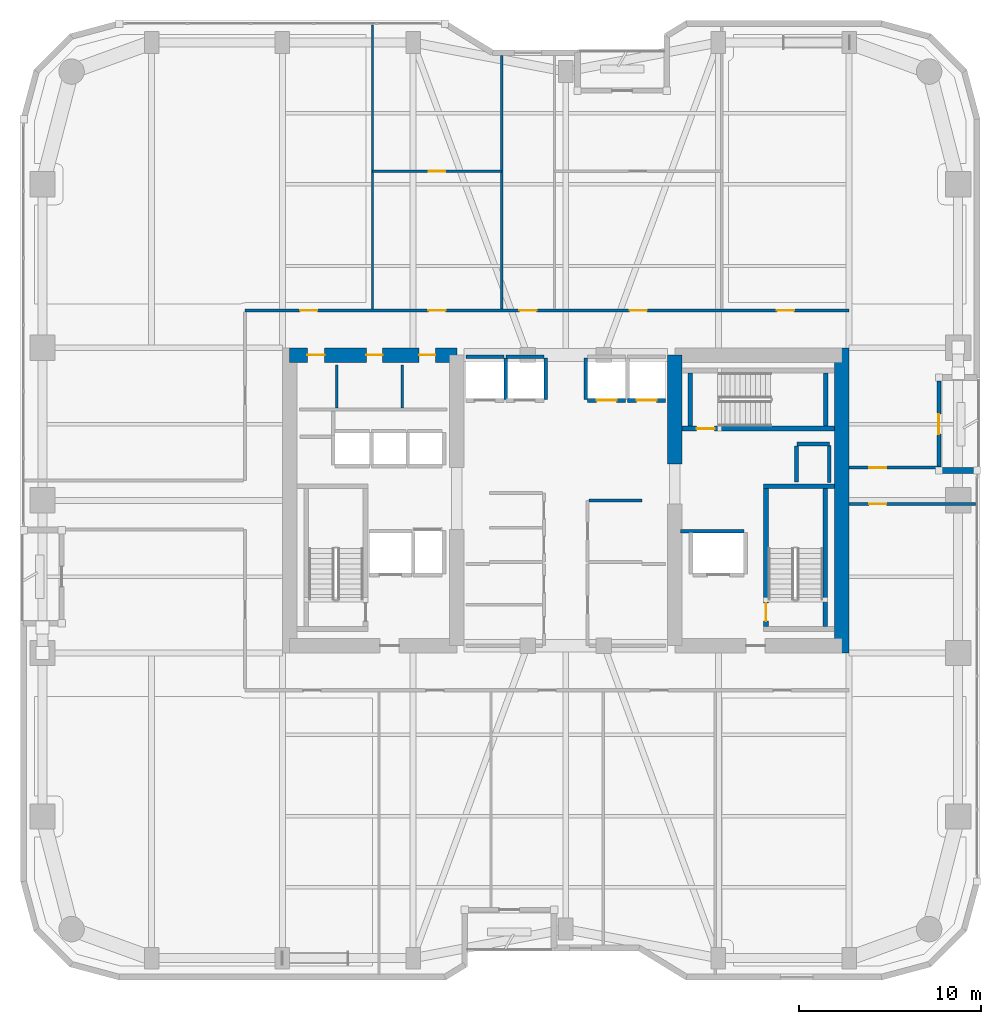
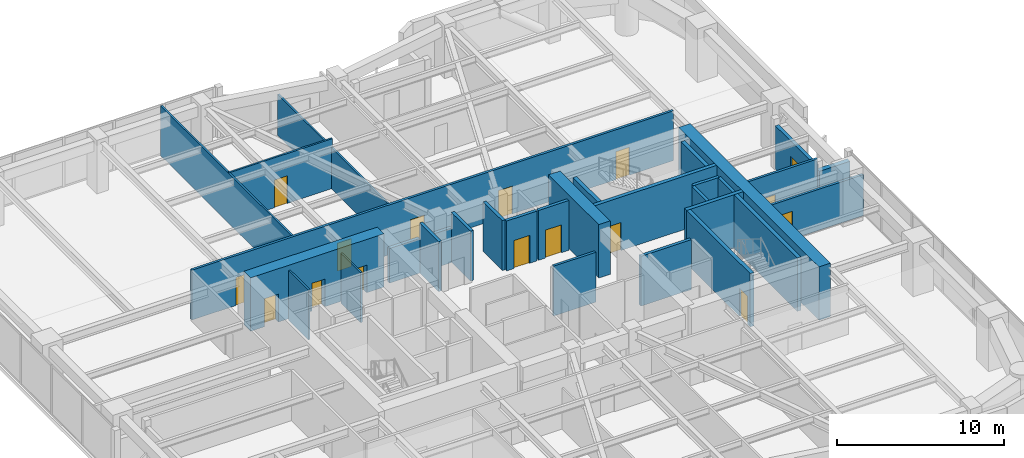
# One storey, part 20 of 24: 31 walls, 16 doors, 16 openings.
"""IFC4 building model written with IfcOpenShell, lengths in metres."""

import ifcopenshell
import ifcopenshell.guid

model = None  # the IFC model being written
_history = None  # IfcOwnerHistory: only IFC2X3 demands one
_inside = {}  # id of a spatial element -> (the spatial element, [elements in it])
_under = {}  # id of a project, library or spatial element -> (it, [spatial elements below it])
_declared = {}  # id of a project -> (the project, [libraries it declares])
_typed = {}  # id of a type object -> (the type object, [elements of that type])
_made_of = {}  # id of a material, layer set ... -> (it, [elements and type objects made of it])


def new_model(schema):
    """Start an empty IFC model of exactly this schema.

    Asked for "IFC4X3", IfcOpenShell would pick the latest addendum, in which some entities
    have other attributes; the version numbers below select the first issue.
    IFC2X3 requires an IfcOwnerHistory on every rooted entity: one is made here for all.
    """
    global model, _history
    if schema == "IFC4X3":
        model = ifcopenshell.file(schema_version=(4, 3, 0, 0))
    else:
        model = ifcopenshell.file(schema=schema)
    _inside.clear()
    _under.clear()
    _declared.clear()
    _typed.clear()
    _made_of.clear()
    _history = None
    if model.schema == "IFC2X3":
        org = make("IfcOrganization", Name="unknown")
        user = make(
            "IfcPersonAndOrganization",
            ThePerson=make("IfcPerson", FamilyName="unknown"),
            TheOrganization=org,
        )
        app = make(
            "IfcApplication",
            ApplicationDeveloper=org,
            Version="unknown",
            ApplicationFullName="unknown",
            ApplicationIdentifier="unknown",
        )
        _history = make(
            "IfcOwnerHistory",
            OwningUser=user,
            OwningApplication=app,
            ChangeAction="ADDED",
            CreationDate=0,
        )
    return model


def make(cls, **values):
    """One entity of the class cls with the attributes given. An attribute that is None is left unset."""
    return model.create_entity(
        cls, **{name: value for name, value in values.items() if value is not None}
    )


def rooted(cls, **values):
    """An entity with a GlobalId (a new one), such as an element, a storey or a relation."""
    return make(cls, GlobalId=ifcopenshell.guid.new(), OwnerHistory=_history, **values)


def si_unit(unit_type, name, prefix=None):
    """IfcSIUnit, for example si_unit("LENGTHUNIT", "METRE", prefix="MILLI")."""
    return make("IfcSIUnit", UnitType=unit_type, Prefix=prefix, Name=name)


def assignment(units):
    """IfcUnitAssignment: the units of a project."""
    return None if units is None else make("IfcUnitAssignment", Units=units)


def point(xyz):
    """IfcCartesianPoint."""
    return None if xyz is None else make("IfcCartesianPoint", Coordinates=xyz)


def direction(xyz):
    """IfcDirection."""
    return None if xyz is None else make("IfcDirection", DirectionRatios=xyz)


def frame(location, z_axis=None, x_axis=None):
    """IfcAxis2Placement3D, a coordinate frame: its origin and axes. An axis left out is left unset."""
    return make(
        "IfcAxis2Placement3D",
        Location=point(location),
        Axis=direction(z_axis),
        RefDirection=direction(x_axis),
    )


def frame_2d(location, x_axis=None):
    """IfcAxis2Placement2D, a coordinate frame in the plane: its origin and x axis."""
    return make(
        "IfcAxis2Placement2D", Location=point(location), RefDirection=direction(x_axis)
    )


def origin():
    """The frame at (0, 0, 0) with its axes left unset."""
    return frame((0.0, 0.0, 0.0))


def place(relative_to, where):
    """IfcLocalPlacement: puts the frame where relative to a parent placement (None: the world)."""
    return make(
        "IfcLocalPlacement", PlacementRelTo=relative_to, RelativePlacement=where
    )


def context(
    kind, dimensions, precision=None, world=None, true_north=None, identifier=None
):
    """IfcGeometricRepresentationContext, for example the 3D "Model" context."""
    return make(
        "IfcGeometricRepresentationContext",
        ContextIdentifier=identifier,
        ContextType=kind,
        CoordinateSpaceDimension=dimensions,
        Precision=precision,
        WorldCoordinateSystem=world,
        TrueNorth=true_north,
    )


def subcontext(parent, identifier, kind, view, scale=None):
    """IfcGeometricRepresentationSubContext, for example "Body" below "Model"."""
    return make(
        "IfcGeometricRepresentationSubContext",
        ContextIdentifier=identifier,
        ContextType=kind,
        ParentContext=parent,
        TargetScale=scale,
        TargetView=view,
    )


def project(units=None, contexts=None):
    """IfcProject with its units and contexts."""
    return rooted(
        "IfcProject",
        Name="project",
        RepresentationContexts=contexts,
        UnitsInContext=assignment(units),
    )


def spatial(cls, under=None, at=None, **own):
    """A site, building, storey or space (cls), placed at a placement, below another one or the project."""
    s = rooted(cls, ObjectPlacement=at, **own)
    if under is not None:
        _under.setdefault(under.id(), (under, []))[1].append(s)
    return s


def profile(cls, at=None, kind="AREA", **sizes):
    """A parametric profile (cls). Its sizes go by their IFC names, for example OverallWidth=200.0."""
    return make(cls, ProfileType=kind, Position=at, **sizes)


def rectangle(**sizes):
    """IfcRectangleProfileDef."""
    return profile("IfcRectangleProfileDef", **sizes)


def extrude(swept, where, along, depth):
    """IfcExtrudedAreaSolid: the profile swept, set in the frame where, extruded along a direction by depth."""
    return make(
        "IfcExtrudedAreaSolid",
        SweptArea=swept,
        Position=where,
        ExtrudedDirection=direction(along),
        Depth=depth,
    )


def shape(context_of_items, identifier, shape_type, items):
    """IfcShapeRepresentation: the items that make up one representation, for example the "Body"."""
    return make(
        "IfcShapeRepresentation",
        ContextOfItems=context_of_items,
        RepresentationIdentifier=identifier,
        RepresentationType=shape_type,
        Items=items,
    )


def material(Name=None, Category=None):
    """IfcMaterial."""
    return make("IfcMaterial", Name=Name, Category=Category)


def layer(
    of_material, thickness, ventilated=None, Name=None, Category=None, Priority=None
):
    """IfcMaterialLayer: one layer of a wall or slab, of a material (None: an air gap)."""
    return make(
        "IfcMaterialLayer",
        Material=of_material,
        LayerThickness=thickness,
        IsVentilated=ventilated,
        Name=Name,
        Category=Category,
        Priority=Priority,
    )


def layer_set(layers, Name=None):
    """IfcMaterialLayerSet."""
    return make("IfcMaterialLayerSet", MaterialLayers=layers, LayerSetName=Name)


def made_of(thing, what):
    """Note that an element or type object is made of a material, layer set ...; save() writes the relation."""
    if what is not None:
        _made_of.setdefault(what.id(), (what, []))[1].append(thing)
    return thing


def type_object(cls, material=None, **own):
    """A type object (cls), such as IfcWallType, which elements share."""
    return made_of(rooted(cls, **own), material)


def element(
    cls,
    number,
    at=None,
    inside=None,
    cuts=None,
    type_object=None,
    material=None,
    context=None,
    identifier="Body",
    shape_type=None,
    held_by="IfcProductDefinitionShape",
    body=None,
    shapes=None,
    **own,
):
    """One element of the class cls, such as IfcWall. Its Tag is "e" and its number.

    at: its placement. inside: the storey or other place that contains it. cuts: it is an
    opening in that element (IfcRelVoidsElement). A single representation is given by context,
    identifier, shape_type and body (its items); several are given by shapes. held_by: the class
    of the entity that holds the representations. save() writes the other relations.
    """
    e = rooted(cls, Tag="e%d" % number, ObjectPlacement=at, **own)
    if body is not None:
        shapes = [shape(context, identifier, shape_type, body)]
    if shapes is not None:
        e.Representation = make(held_by, Representations=shapes)
    if inside is not None:
        _inside.setdefault(inside.id(), (inside, []))[1].append(e)
    if cuts is not None:
        rooted(
            "IfcRelVoidsElement", RelatingBuildingElement=cuts, RelatedOpeningElement=e
        )
    if type_object is not None:
        _typed.setdefault(type_object.id(), (type_object, []))[1].append(e)
    return made_of(e, material)


def fill(opening, filler):
    """IfcRelFillsElement: the door or window that sits in an opening."""
    return rooted(
        "IfcRelFillsElement",
        RelatingOpeningElement=opening,
        RelatedBuildingElement=filler,
    )


def aggregate(whole, parts):
    """IfcRelAggregates: a whole, such as a stair, and the parts it consists of."""
    return rooted("IfcRelAggregates", RelatingObject=whole, RelatedObjects=parts)


def save(model, path):
    """Write the relations noted so far, then the file.

    IfcRelAggregates (storeys below a building ...), IfcRelContainedInSpatialStructure (elements
    in a storey), IfcRelDefinesByType, IfcRelAssociatesMaterial and IfcRelDeclares: one each for
    every whole, place, type object, material and project.
    """
    for whole, parts in _under.values():
        aggregate(whole, parts)
    for where, things in _inside.values():
        rooted(
            "IfcRelContainedInSpatialStructure",
            RelatedElements=things,
            RelatingStructure=where,
        )
    for kind, things in _typed.values():
        rooted("IfcRelDefinesByType", RelatedObjects=things, RelatingType=kind)
    for what, things in _made_of.values():
        rooted("IfcRelAssociatesMaterial", RelatedObjects=things, RelatingMaterial=what)
    for by, libraries in _declared.values():
        rooted("IfcRelDeclares", RelatingContext=by, RelatedDefinitions=libraries)
    model.write(path)


model = new_model("IFC4")

# Units and contexts
model_context = context("Model", 3, precision=1e-05, world=origin(), true_north=direction((0.0, 1.0)))
body_context = subcontext(model_context, "Body", "Model", "MODEL_VIEW")
ifc_project = project(units=[si_unit("LENGTHUNIT", "METRE"), si_unit("AREAUNIT", "SQUARE_METRE"), si_unit("VOLUMEUNIT", "CUBIC_METRE"), si_unit("PLANEANGLEUNIT", "RADIAN"), si_unit("MASSUNIT", "GRAM", prefix="KILO")], contexts=[model_context])

# Site, building, storey
site_placement = place(None, origin())
site = spatial("IfcSite", under=ifc_project, at=site_placement, CompositionType="ELEMENT")
building_placement = place(site_placement, origin())
building = spatial("IfcBuilding", under=site, at=building_placement, Name="Kiyonajd Concourse Tower", CompositionType="ELEMENT")
storey_placement = place(building_placement, frame((0.0, 0.0, 133.800048828125)))
storey = spatial("IfcBuildingStorey", under=building, at=storey_placement, Name="L34", CompositionType="ELEMENT", Elevation=133.800048828125)

# Wall, openings, doors
ifc_material_1 = material(Name="Concrete C70/85", Category="concrete")
ifc_layer_1 = layer(ifc_material_1, 0.800048828125)
ifc_layer_set_1 = layer_set([ifc_layer_1], Name="Concrete C70/85")
wall_type_1 = type_object("IfcWallType", Name="WL-CORE-800", PredefinedType="SHEAR", material=ifc_layer_set_1)
wall_1_placement = place(storey_placement, frame((32.800048828125, 44.0, 0.0), z_axis=(0.0, 0.0, 1.0), x_axis=(1.0, 0.0, 0.0)))
wall_1 = element("IfcWall", 1, at=wall_1_placement, inside=storey, type_object=wall_type_1, Name="L34 West Core North Shear Wall", PredefinedType="SHEAR", context=body_context, shape_type="SweptSolid", body=[
    extrude(rectangle(XDim=9.199951171875, YDim=0.800048828125, at=frame_2d((4.60009765625, 0.0))), origin(), (0.0, 0.0, 1.0), 3.89990234375),
])
opening_1_placement = place(wall_1_placement, frame((0.97509765625, 0.0, 0.0)))
opening_1 = element("IfcOpeningElement", 2, at=opening_1_placement, cuts=wall_1, Name="Opening DI1", PredefinedType="OPENING", context=body_context, shape_type="SweptSolid", body=[
    extrude(rectangle(XDim=0.949951171875, YDim=2.0400390625, at=frame_2d((0.47509765625, 1.02001953125))), frame((0.0, 0.409912109375, 0.0), z_axis=(0.0, -1.0, 0.0), x_axis=(1.0, 0.0, 0.0)), (0.0, 0.0, 1.0), 0.820068359375),
])
opening_2_placement = place(wall_1_placement, frame((4.22509765625, 0.0, 0.0)))
opening_2 = element("IfcOpeningElement", 3, at=opening_2_placement, cuts=wall_1, Name="Opening DI2", PredefinedType="OPENING", context=body_context, shape_type="SweptSolid", body=[
    extrude(rectangle(XDim=0.89990234375, YDim=2.02001953125, at=frame_2d((0.449951171875, 1.010009765625))), frame((0.0, 0.409912109375, 0.0), z_axis=(0.0, -1.0, 0.0), x_axis=(1.0, 0.0, 0.0)), (0.0, 0.0, 1.0), 0.820068359375),
])
opening_3_placement = place(wall_1_placement, frame((7.125, 0.0, 0.0)))
opening_3 = element("IfcOpeningElement", 4, at=opening_3_placement, cuts=wall_1, Name="Opening DI2", PredefinedType="OPENING", context=body_context, shape_type="SweptSolid", body=[
    extrude(rectangle(XDim=0.89990234375, YDim=2.02001953125, at=frame_2d((0.449951171875, 1.010009765625))), frame((0.0, 0.409912109375, 0.0), z_axis=(0.0, -1.0, 0.0), x_axis=(1.0, 0.0, 0.0)), (0.0, 0.0, 1.0), 0.820068359375),
])
ifc_material_2 = material(Name="Natural Oak Acoustic Timber Veneer", Category="wood")
door_type_1 = type_object("IfcDoorType", Name="DR-INT-900", OperationType="NOTDEFINED", PredefinedType="DOOR", material=ifc_material_2)
door_1_placement = place(opening_2_placement, origin())
door_1 = element("IfcDoor", 5, at=door_1_placement, inside=storey, type_object=door_type_1, Name="L34 Male Restroom Door", OperationType="SINGLE_SWING_RIGHT", OverallHeight=2.02001953125, OverallWidth=0.89990234375, PredefinedType="DOOR", context=body_context, shape_type="SweptSolid", body=[
    extrude(rectangle(XDim=0.89990234375, YDim=2.02001953125, at=frame_2d((0.449951171875, 1.010009765625))), frame((0.0, 0.02490234375, 0.0), z_axis=(0.0, -1.0, 0.0), x_axis=(1.0, 0.0, 0.0)), (0.0, 0.0, 1.0), 0.050048828125),
])
fill(opening_2, door_1)
door_2_placement = place(opening_3_placement, origin())
door_2 = element("IfcDoor", 6, at=door_2_placement, inside=storey, type_object=door_type_1, Name="L34 Female Restroom Door", OperationType="SINGLE_SWING_LEFT", OverallHeight=2.02001953125, OverallWidth=0.89990234375, PredefinedType="DOOR", context=body_context, shape_type="SweptSolid", body=[
    extrude(rectangle(XDim=0.89990234375, YDim=2.02001953125, at=frame_2d((0.449951171875, 1.010009765625))), frame((0.0, 0.02490234375, 0.0), z_axis=(0.0, -1.0, 0.0), x_axis=(1.0, 0.0, 0.0)), (0.0, 0.0, 1.0), 0.050048828125),
])
fill(opening_3, door_2)
door_type_2 = type_object("IfcDoorType", Name="DR-INT-950", OperationType="NOTDEFINED", PredefinedType="DOOR", material=ifc_material_2)
door_3_placement = place(opening_1_placement, origin())
door_3 = element("IfcDoor", 7, at=door_3_placement, inside=storey, type_object=door_type_2, Name="L34 Single User Accessible WC Door", OperationType="SINGLE_SWING_LEFT", OverallHeight=2.0400390625, OverallWidth=0.949951171875, PredefinedType="DOOR", context=body_context, shape_type="SweptSolid", body=[
    extrude(rectangle(XDim=0.949951171875, YDim=2.0400390625, at=frame_2d((0.47509765625, 1.02001953125))), frame((0.0, 0.02490234375, 0.0), z_axis=(0.0, -1.0, 0.0), x_axis=(1.0, 0.0, 0.0)), (0.0, 0.0, 1.0), 0.050048828125),
])
fill(opening_1, door_3)

# Walls
wall_2_placement = place(storey_placement, frame((54.0, 38.0, 0.0), z_axis=(0.0, 0.0, 1.0), x_axis=(0.0, 1.0, 0.0)))
element("IfcWall", 8, at=wall_2_placement, inside=storey, type_object=wall_type_1, Name="L34 East Core Inner North Shear Wall", PredefinedType="SHEAR", context=body_context, shape_type="SweptSolid", body=[
    extrude(rectangle(XDim=6.0, YDim=0.800048828125, at=frame_2d((3.0, 0.0))), origin(), (0.0, 0.0, 1.0), 3.89990234375),
])
wall_3_placement = place(storey_placement, frame((63.199951171875, 27.60009765625, 0.0), z_axis=(0.0, 0.0, 1.0), x_axis=(0.0, 1.0, 0.0)))
element("IfcWall", 9, at=wall_3_placement, inside=storey, type_object=wall_type_1, Name="L34 East Core Outer Shear Wall", PredefinedType="SHEAR", context=body_context, shape_type="SweptSolid", body=[
    extrude(rectangle(XDim=16.7998046875, YDim=0.800048828125, at=frame_2d((8.39990234375, 0.0))), origin(), (0.0, 0.0, 1.0), 3.89990234375),
])
ifc_material_3 = material(Name="Precast concrete C50/60", Category="concrete")
ifc_layer_2 = layer(ifc_material_3, 0.320068359375)
ifc_layer_set_2 = layer_set([ifc_layer_2], Name="Precast concrete C50/60")
wall_type_2 = type_object("IfcWallType", Name="WL-EXT-320", PredefinedType="SOLIDWALL", material=ifc_layer_set_2)
wall_4_placement = place(storey_placement, frame((68.5400390625, 37.639892578125, 0.0), z_axis=(0.0, 0.0, 1.0), x_axis=(1.0, 0.0, 0.0)))
element("IfcWall", 10, at=wall_4_placement, inside=storey, type_object=wall_type_2, Name="L34 Exterior Concrete Frame Wall 23", PredefinedType="SOLIDWALL", context=body_context, shape_type="SweptSolid", body=[
    extrude(rectangle(XDim=2.099853515625, YDim=0.320068359375, at=frame_2d((1.0498046875, 0.0))), origin(), (0.0, 0.0, 1.0), 2.875),
])

# Wall, opening, door
ifc_layer_3 = layer(ifc_material_3, 0.239990234375)
ifc_layer_set_3 = layer_set([ifc_layer_3], Name="Precast concrete C50/60")
wall_type_3 = type_object("IfcWallType", Name="WL-LOG-240", PredefinedType="SOLIDWALL", material=ifc_layer_set_3)
wall_5_placement = place(storey_placement, frame((68.5400390625, 42.56494140625, 0.0), z_axis=(0.0, 0.0, 1.0), x_axis=(0.0, -1.0, 0.0)))
wall_5 = element("IfcWall", 11, at=wall_5_placement, inside=storey, type_object=wall_type_3, Name="L34 Recessed Loggia Thermal Wall LOG-E", PredefinedType="SOLIDWALL", context=body_context, shape_type="SweptSolid", body=[
    extrude(rectangle(XDim=4.72998046875, YDim=0.239990234375, at=frame_2d((2.364990234375, 0.0))), origin(), (0.0, 0.0, 1.0), 3.161865234375),
])
opening_4_placement = place(wall_5_placement, frame((1.81494140625, 0.0, 0.0)))
opening_4 = element("IfcOpeningElement", 12, at=opening_4_placement, cuts=wall_5, Name="Opening DL2", PredefinedType="OPENING", context=body_context, shape_type="SweptSolid", body=[
    extrude(rectangle(XDim=1.10009765625, YDim=2.0400390625, at=frame_2d((0.550048828125, 1.02001953125))), frame((0.0, 0.1298828125, 0.0), z_axis=(0.0, -1.0, 0.0), x_axis=(1.0, 0.0, 0.0)), (0.0, 0.0, 1.0), 0.260009765625),
])
ifc_material_4 = material(Name="Thermally Broken Anodised Aluminium", Category="aluminium")
door_type_3 = type_object("IfcDoorType", Name="DR-LOG-1100", OperationType="NOTDEFINED", PredefinedType="DOOR", material=ifc_material_4)
door_4_placement = place(opening_4_placement, origin())
door_4 = element("IfcDoor", 13, at=door_4_placement, inside=storey, type_object=door_type_3, Name="L34 Engawa Loggia Access Door LOG-E", OperationType="SINGLE_SWING_LEFT", OverallHeight=2.0400390625, OverallWidth=1.10009765625, PredefinedType="DOOR", context=body_context, shape_type="SweptSolid", body=[
    extrude(rectangle(XDim=1.10009765625, YDim=2.0400390625, at=frame_2d((0.550048828125, 1.02001953125))), frame((0.0, 0.02490234375, 0.0), z_axis=(0.0, -1.0, 0.0), x_axis=(1.0, 0.0, 0.0)), (0.0, 0.0, 1.0), 0.050048828125),
])
fill(opening_4, door_4)

# Walls
ifc_material_5 = material(Name="Gypsum Board on Cold-Formed Steel Stud", Category="steel")
ifc_layer_4 = layer(ifc_material_5, 0.125)
ifc_layer_set_4 = layer_set([ifc_layer_4], Name="Gypsum Board on Cold-Formed Steel Stud")
wall_type_4 = type_object("IfcWallType", Name="WL-PART-125", PredefinedType="PARTITIONING", material=ifc_layer_set_4)
for number, where, z_axis, x_axis, name in (
    (14, (35.39990234375, 41.094970703125, 0.0), (0.0, 0.0, 1.0), (0.0, 1.0, 0.0), "L34 Interior Partition Wall"),
    (15, (39.0, 41.094970703125, 0.0), (0.0, 0.0, 1.0), (0.0, 1.0, 0.0), "L34 Interior Partition Wall"),
):
    element("IfcWall", number, at=place(storey_placement, frame(where, z_axis=z_axis, x_axis=x_axis)), inside=storey, type_object=wall_type_4, Name=name, PredefinedType="PARTITIONING", context=body_context, shape_type="SweptSolid", body=[
        extrude(rectangle(XDim=2.35498046875, YDim=0.125, at=frame_2d((1.177490234375, 0.0))), origin(), (0.0, 0.0, 1.0), 3.639892578125),
    ])

# Wall, opening, door
wall_6_placement = place(storey_placement, frame((37.360107421875, 54.110107421875, 0.0), z_axis=(0.0, 0.0, 1.0), x_axis=(1.0, 0.0, 0.0)))
wall_6 = element("IfcWall", 16, at=wall_6_placement, inside=storey, type_object=wall_type_4, Name="L34 Interior Partition Wall", PredefinedType="PARTITIONING", context=body_context, shape_type="SweptSolid", body=[
    extrude(rectangle(XDim=7.10986328125, YDim=0.125, at=frame_2d((3.554931640625, 0.0))), origin(), (0.0, 0.0, 1.0), 3.639892578125),
])
opening_5_placement = place(wall_6_placement, frame((3.10498046875, 0.0, 0.0)))
opening_5 = element("IfcOpeningElement", 17, at=opening_5_placement, cuts=wall_6, Name="Opening DI2", PredefinedType="OPENING", context=body_context, shape_type="SweptSolid", body=[
    extrude(rectangle(XDim=0.89990234375, YDim=2.02001953125, at=frame_2d((0.449951171875, 1.010009765625))), frame((0.0, 0.072509765625, 0.0), z_axis=(0.0, -1.0, 0.0), x_axis=(1.0, 0.0, 0.0)), (0.0, 0.0, 1.0), 0.14501953125),
])
door_5_placement = place(opening_5_placement, origin())
door_5 = element("IfcDoor", 18, at=door_5_placement, inside=storey, type_object=door_type_1, Name="L34 Interior Door", OperationType="SINGLE_SWING_RIGHT", OverallHeight=2.02001953125, OverallWidth=0.89990234375, PredefinedType="DOOR", context=body_context, shape_type="SweptSolid", body=[
    extrude(rectangle(XDim=0.89990234375, YDim=2.02001953125, at=frame_2d((0.449951171875, 1.010009765625))), frame((0.0, 0.02490234375, 0.0), z_axis=(0.0, -1.0, 0.0), x_axis=(1.0, 0.0, 0.0)), (0.0, 0.0, 1.0), 0.050048828125),
])
fill(opening_5, door_5)

# Walls
wall_7_placement = place(storey_placement, frame((37.360107421875, 46.537109375, 0.0), z_axis=(0.0, 0.0, 1.0), x_axis=(0.0, 1.0, 0.0)))
element("IfcWall", 19, at=wall_7_placement, inside=storey, type_object=wall_type_4, Name="L34 Interior Partition Wall", PredefinedType="PARTITIONING", context=body_context, shape_type="SweptSolid", body=[
    extrude(rectangle(XDim=15.617919921875, YDim=0.125, at=frame_2d((7.80908203125, 0.0))), origin(), (0.0, 0.0, 1.0), 3.639892578125),
])
wall_8_placement = place(storey_placement, frame((44.469970703125, 46.537109375, 0.0), z_axis=(0.0, 0.0, 1.0), x_axis=(0.0, 1.0, 0.0)))
element("IfcWall", 20, at=wall_8_placement, inside=storey, type_object=wall_type_4, Name="L34 Interior Partition Wall", PredefinedType="PARTITIONING", context=body_context, shape_type="SweptSolid", body=[
    extrude(rectangle(XDim=13.947998046875, YDim=0.125, at=frame_2d((6.97412109375, 0.0))), origin(), (0.0, 0.0, 1.0), 3.0029296875),
])
ifc_layer_5 = layer(ifc_material_5, 0.2099609375)
ifc_layer_set_5 = layer_set([ifc_layer_5], Name="Gypsum Board on Cold-Formed Steel Stud")
wall_type_5 = type_object("IfcWallType", Name="WL-SHAFT-210", PredefinedType="PARTITIONING", material=ifc_layer_set_5)
wall_9_placement = place(storey_placement, frame((60.719970703125, 39.10009765625, 0.0), z_axis=(0.0, 0.0, 1.0), x_axis=(1.0, 0.0, 0.0)))
element("IfcWall", 21, at=wall_9_placement, inside=storey, type_object=wall_type_5, Name="L34 Shaft Enclosure Wall", PredefinedType="PARTITIONING", context=body_context, shape_type="SweptSolid", body=[
    extrude(rectangle(XDim=1.800048828125, YDim=0.2099609375, at=frame_2d((0.89990234375, 0.0))), origin(), (0.0, 0.0, 1.0), 3.639892578125),
])
wall_10_placement = place(storey_placement, frame((60.699951171875, 37.02001953125, 0.0), z_axis=(0.0, 0.0, 1.0), x_axis=(0.0, 1.0, 0.0)))
element("IfcWall", 22, at=wall_10_placement, inside=storey, type_object=wall_type_5, Name="L34 Shaft Enclosure Wall", PredefinedType="PARTITIONING", context=body_context, shape_type="SweptSolid", body=[
    extrude(rectangle(XDim=1.9599609375, YDim=0.2099609375, at=frame_2d((0.97998046875, 0.0))), origin(), (0.0, 0.0, 1.0), 3.639892578125),
])
wall_11_placement = place(storey_placement, frame((62.5, 36.97998046875, 0.0), z_axis=(0.0, 0.0, 1.0), x_axis=(0.0, 1.0, 0.0)))
element("IfcWall", 23, at=wall_11_placement, inside=storey, type_object=wall_type_5, Name="L34 Shaft Enclosure Wall", PredefinedType="PARTITIONING", context=body_context, shape_type="SweptSolid", body=[
    extrude(rectangle(XDim=2.0400390625, YDim=0.2099609375, at=frame_2d((1.02001953125, 0.0))), origin(), (0.0, 0.0, 1.0), 3.639892578125),
])
wall_12_placement = place(storey_placement, frame((54.320068359375, 34.300048828125, 0.0), z_axis=(0.0, 0.0, 1.0), x_axis=(1.0, 0.0, 0.0)))
element("IfcWall", 24, at=wall_12_placement, inside=storey, type_object=wall_type_5, Name="L34 Shaft Enclosure Wall", PredefinedType="PARTITIONING", context=body_context, shape_type="SweptSolid", body=[
    extrude(rectangle(XDim=3.47998046875, YDim=0.2099609375, at=frame_2d((1.739990234375, 0.0))), origin(), (0.0, 0.0, 1.0), 3.639892578125),
])
wall_13_placement = place(storey_placement, frame((42.5, 43.89990234375, 0.0), z_axis=(0.0, 0.0, 1.0), x_axis=(1.0, 0.0, 0.0)))
element("IfcWall", 25, at=wall_13_placement, inside=storey, type_object=wall_type_5, Name="L34 Shaft Enclosure Wall", PredefinedType="PARTITIONING", context=body_context, shape_type="SweptSolid", body=[
    extrude(rectangle(XDim=2.10009765625, YDim=0.2099609375, at=frame_2d((1.050048828125, 0.0))), origin(), (0.0, 0.0, 1.0), 2.52490234375),
])
wall_14_placement = place(storey_placement, frame((44.699951171875, 41.56005859375, 0.0), z_axis=(0.0, 0.0, 1.0), x_axis=(0.0, 1.0, 0.0)))
element("IfcWall", 26, at=wall_14_placement, inside=storey, type_object=wall_type_5, Name="L34 Shaft Enclosure Wall", PredefinedType="PARTITIONING", context=body_context, shape_type="SweptSolid", body=[
    extrude(rectangle(XDim=2.280029296875, YDim=0.2099609375, at=frame_2d((1.14013671875, 0.0))), origin(), (0.0, 0.0, 1.0), 3.639892578125),
])
wall_15_placement = place(storey_placement, frame((44.699951171875, 43.89990234375, 0.0), z_axis=(0.0, 0.0, 1.0), x_axis=(1.0, 0.0, 0.0)))
element("IfcWall", 27, at=wall_15_placement, inside=storey, type_object=wall_type_5, Name="L34 Shaft Enclosure Wall", PredefinedType="PARTITIONING", context=body_context, shape_type="SweptSolid", body=[
    extrude(rectangle(XDim=2.10009765625, YDim=0.2099609375, at=frame_2d((1.050048828125, 0.0))), origin(), (0.0, 0.0, 1.0), 2.52490234375),
])
wall_16_placement = place(storey_placement, frame((46.89990234375, 41.56005859375, 0.0), z_axis=(0.0, 0.0, 1.0), x_axis=(0.0, 1.0, 0.0)))
element("IfcWall", 28, at=wall_16_placement, inside=storey, type_object=wall_type_5, Name="L34 Shaft Enclosure Wall", PredefinedType="PARTITIONING", context=body_context, shape_type="SweptSolid", body=[
    extrude(rectangle(XDim=2.280029296875, YDim=0.2099609375, at=frame_2d((1.14013671875, 0.0))), origin(), (0.0, 0.0, 1.0), 3.639892578125),
])

# Wall, opening, door
wall_17_placement = place(storey_placement, frame((49.199951171875, 41.5, 0.0), z_axis=(0.0, 0.0, 1.0), x_axis=(1.0, 0.0, 0.0)))
wall_17 = element("IfcWall", 29, at=wall_17_placement, inside=storey, type_object=wall_type_5, Name="L34 Shaft Enclosure Wall", PredefinedType="PARTITIONING", context=body_context, shape_type="SweptSolid", body=[
    extrude(rectangle(XDim=2.10009765625, YDim=0.2099609375, at=frame_2d((1.050048828125, 0.0))), origin(), (0.0, 0.0, 1.0), 3.639892578125),
])
opening_6_placement = place(wall_17_placement, frame((0.5, 0.0, 0.0)))
opening_6 = element("IfcOpeningElement", 30, at=opening_6_placement, cuts=wall_17, Name="Opening LD1", PredefinedType="OPENING", context=body_context, shape_type="SweptSolid", body=[
    extrude(rectangle(XDim=1.10009765625, YDim=2.0400390625, at=frame_2d((0.550048828125, 1.02001953125))), frame((0.0, 0.114990234375, 0.0), z_axis=(0.0, -1.0, 0.0), x_axis=(1.0, 0.0, 0.0)), (0.0, 0.0, 1.0), 0.22998046875),
])
ifc_material_6 = material(Name="Brushed Stainless Steel Cab Assembly", Category="steel")
door_type_4 = type_object("IfcDoorType", Name="DR-LD-1100", OperationType="DOUBLE_DOOR_SLIDING", PredefinedType="DOOR", material=ifc_material_6)
door_6_placement = place(opening_6_placement, origin())
door_6 = element("IfcDoor", 31, at=door_6_placement, inside=storey, type_object=door_type_4, Name="L34 Lift PL-M3 Sliding Landing Door", OperationType="DOUBLE_DOOR_SLIDING", OverallHeight=2.0400390625, OverallWidth=1.10009765625, PredefinedType="DOOR", context=body_context, shape_type="SweptSolid", body=[
    extrude(rectangle(XDim=1.10009765625, YDim=2.0400390625, at=frame_2d((0.550048828125, 1.02001953125))), frame((0.0, 0.02490234375, 0.0), z_axis=(0.0, -1.0, 0.0), x_axis=(1.0, 0.0, 0.0)), (0.0, 0.0, 1.0), 0.050048828125),
])
fill(opening_6, door_6)

# Wall
wall_18_placement = place(storey_placement, frame((49.10009765625, 41.56005859375, 0.0), z_axis=(0.0, 0.0, 1.0), x_axis=(0.0, 1.0, 0.0)))
element("IfcWall", 32, at=wall_18_placement, inside=storey, type_object=wall_type_5, Name="L34 Shaft Enclosure Wall", PredefinedType="PARTITIONING", context=body_context, shape_type="SweptSolid", body=[
    extrude(rectangle(XDim=2.280029296875, YDim=0.2099609375, at=frame_2d((1.14013671875, 0.0))), origin(), (0.0, 0.0, 1.0), 3.639892578125),
])

# Wall, opening, door
wall_19_placement = place(storey_placement, frame((51.39990234375, 41.5, 0.0), z_axis=(0.0, 0.0, 1.0), x_axis=(1.0, 0.0, 0.0)))
wall_19 = element("IfcWall", 33, at=wall_19_placement, inside=storey, type_object=wall_type_5, Name="L34 Shaft Enclosure Wall", PredefinedType="PARTITIONING", context=body_context, shape_type="SweptSolid", body=[
    extrude(rectangle(XDim=2.10009765625, YDim=0.2099609375, at=frame_2d((1.050048828125, 0.0))), origin(), (0.0, 0.0, 1.0), 3.639892578125),
])
opening_7_placement = place(wall_19_placement, frame((0.5, 0.0, 0.0)))
opening_7 = element("IfcOpeningElement", 34, at=opening_7_placement, cuts=wall_19, Name="Opening LD1", PredefinedType="OPENING", context=body_context, shape_type="SweptSolid", body=[
    extrude(rectangle(XDim=1.10009765625, YDim=2.0400390625, at=frame_2d((0.550048828125, 1.02001953125))), frame((0.0, 0.114990234375, 0.0), z_axis=(0.0, -1.0, 0.0), x_axis=(1.0, 0.0, 0.0)), (0.0, 0.0, 1.0), 0.22998046875),
])
door_7_placement = place(opening_7_placement, origin())
door_7 = element("IfcDoor", 35, at=door_7_placement, inside=storey, type_object=door_type_4, Name="L34 Lift PL-M4 Sliding Landing Door", OperationType="DOUBLE_DOOR_SLIDING", OverallHeight=2.0400390625, OverallWidth=1.10009765625, PredefinedType="DOOR", context=body_context, shape_type="SweptSolid", body=[
    extrude(rectangle(XDim=1.10009765625, YDim=2.0400390625, at=frame_2d((0.550048828125, 1.02001953125))), frame((0.0, 0.02490234375, 0.0), z_axis=(0.0, -1.0, 0.0), x_axis=(1.0, 0.0, 0.0)), (0.0, 0.0, 1.0), 0.050048828125),
])
fill(opening_7, door_7)

# Wall
ifc_layer_6 = layer(ifc_material_5, 0.169921875)
ifc_layer_set_6 = layer_set([ifc_layer_6], Name="Gypsum Board on Cold-Formed Steel Stud")
wall_type_6 = type_object("IfcWallType", Name="WL-SMK-170", PredefinedType="PARTITIONING", material=ifc_layer_set_6)
wall_20_placement = place(storey_placement, frame((49.287109375, 36.0, 0.0), z_axis=(0.0, 0.0, 1.0), x_axis=(1.0, 0.0, 0.0)))
element("IfcWall", 36, at=wall_20_placement, inside=storey, type_object=wall_type_6, Name="L34 Interior Partition Wall", PredefinedType="PARTITIONING", context=body_context, shape_type="SweptSolid", body=[
    extrude(rectangle(XDim=2.912841796875, YDim=0.169921875, at=frame_2d((1.45654296875, 0.0))), origin(), (0.0, 0.0, 1.0), 3.639892578125),
])

# Wall, openings, doors
wall_21_placement = place(storey_placement, frame((30.35009765625, 46.449951171875, 0.0), z_axis=(0.0, 0.0, 1.0), x_axis=(1.0, 0.0, 0.0)))
wall_21 = element("IfcWall", 37, at=wall_21_placement, inside=storey, type_object=wall_type_6, Name="L34 Interior Partition Wall", PredefinedType="PARTITIONING", context=body_context, shape_type="SweptSolid", body=[
    extrude(rectangle(XDim=33.25, YDim=0.169921875, at=frame_2d((16.625, 0.0))), origin(), (0.0, 0.0, 1.0), 3.639892578125),
])
opening_8_placement = place(wall_21_placement, frame((3.030029296875, 0.0, 0.0)))
opening_8 = element("IfcOpeningElement", 38, at=opening_8_placement, cuts=wall_21, Name="Opening DI1", PredefinedType="OPENING", context=body_context, shape_type="SweptSolid", body=[
    extrude(rectangle(XDim=0.949951171875, YDim=2.0400390625, at=frame_2d((0.47509765625, 1.02001953125))), frame((0.0, 0.094970703125, 0.0), z_axis=(0.0, -1.0, 0.0), x_axis=(1.0, 0.0, 0.0)), (0.0, 0.0, 1.0), 0.18994140625),
])
opening_9_placement = place(wall_21_placement, frame((10.090087890625, 0.0, 0.0)))
opening_9 = element("IfcOpeningElement", 39, at=opening_9_placement, cuts=wall_21, Name="Opening DI1", PredefinedType="OPENING", context=body_context, shape_type="SweptSolid", body=[
    extrude(rectangle(XDim=0.949951171875, YDim=2.0400390625, at=frame_2d((0.47509765625, 1.02001953125))), frame((0.0, 0.094970703125, 0.0), z_axis=(0.0, -1.0, 0.0), x_axis=(1.0, 0.0, 0.0)), (0.0, 0.0, 1.0), 0.18994140625),
])
opening_10_placement = place(wall_21_placement, frame((15.10009765625, 0.0, 0.0)))
opening_10 = element("IfcOpeningElement", 40, at=opening_10_placement, cuts=wall_21, Name="Opening DI1", PredefinedType="OPENING", context=body_context, shape_type="SweptSolid", body=[
    extrude(rectangle(XDim=0.949951171875, YDim=2.0400390625, at=frame_2d((0.47509765625, 1.02001953125))), frame((0.0, 0.094970703125, 0.0), z_axis=(0.0, -1.0, 0.0), x_axis=(1.0, 0.0, 0.0)), (0.0, 0.0, 1.0), 0.18994140625),
])
opening_11_placement = place(wall_21_placement, frame((21.159912109375, 0.0, 0.0)))
opening_11 = element("IfcOpeningElement", 41, at=opening_11_placement, cuts=wall_21, Name="Opening DI1", PredefinedType="OPENING", context=body_context, shape_type="SweptSolid", body=[
    extrude(rectangle(XDim=0.949951171875, YDim=2.0400390625, at=frame_2d((0.47509765625, 1.02001953125))), frame((0.0, 0.094970703125, 0.0), z_axis=(0.0, -1.0, 0.0), x_axis=(1.0, 0.0, 0.0)), (0.0, 0.0, 1.0), 0.18994140625),
])
opening_12_placement = place(wall_21_placement, frame((29.27001953125, 0.0, 0.0)))
opening_12 = element("IfcOpeningElement", 42, at=opening_12_placement, cuts=wall_21, Name="Opening DI1", PredefinedType="OPENING", context=body_context, shape_type="SweptSolid", body=[
    extrude(rectangle(XDim=0.949951171875, YDim=2.0400390625, at=frame_2d((0.47509765625, 1.02001953125))), frame((0.0, 0.094970703125, 0.0), z_axis=(0.0, -1.0, 0.0), x_axis=(1.0, 0.0, 0.0)), (0.0, 0.0, 1.0), 0.18994140625),
])
door_8_placement = place(opening_8_placement, origin())
door_8 = element("IfcDoor", 43, at=door_8_placement, inside=storey, type_object=door_type_2, Name="L34 Interior Door", OperationType="SINGLE_SWING_LEFT", OverallHeight=2.0400390625, OverallWidth=0.949951171875, PredefinedType="DOOR", context=body_context, shape_type="SweptSolid", body=[
    extrude(rectangle(XDim=0.949951171875, YDim=2.0400390625, at=frame_2d((0.47509765625, 1.02001953125))), frame((0.0, 0.02490234375, 0.0), z_axis=(0.0, -1.0, 0.0), x_axis=(1.0, 0.0, 0.0)), (0.0, 0.0, 1.0), 0.050048828125),
])
fill(opening_8, door_8)
door_9_placement = place(opening_9_placement, origin())
door_9 = element("IfcDoor", 44, at=door_9_placement, inside=storey, type_object=door_type_2, Name="L34 Interior Door", OperationType="SINGLE_SWING_LEFT", OverallHeight=2.0400390625, OverallWidth=0.949951171875, PredefinedType="DOOR", context=body_context, shape_type="SweptSolid", body=[
    extrude(rectangle(XDim=0.949951171875, YDim=2.0400390625, at=frame_2d((0.47509765625, 1.02001953125))), frame((0.0, 0.02490234375, 0.0), z_axis=(0.0, -1.0, 0.0), x_axis=(1.0, 0.0, 0.0)), (0.0, 0.0, 1.0), 0.050048828125),
])
fill(opening_9, door_9)
door_10_placement = place(opening_10_placement, origin())
door_10 = element("IfcDoor", 45, at=door_10_placement, inside=storey, type_object=door_type_2, Name="L34 Interior Door", OperationType="SINGLE_SWING_RIGHT", OverallHeight=2.0400390625, OverallWidth=0.949951171875, PredefinedType="DOOR", context=body_context, shape_type="SweptSolid", body=[
    extrude(rectangle(XDim=0.949951171875, YDim=2.0400390625, at=frame_2d((0.47509765625, 1.02001953125))), frame((0.0, 0.02490234375, 0.0), z_axis=(0.0, -1.0, 0.0), x_axis=(1.0, 0.0, 0.0)), (0.0, 0.0, 1.0), 0.050048828125),
])
fill(opening_10, door_10)
door_11_placement = place(opening_11_placement, origin())
door_11 = element("IfcDoor", 46, at=door_11_placement, inside=storey, type_object=door_type_2, Name="L34 Interior Door", OperationType="SINGLE_SWING_RIGHT", OverallHeight=2.0400390625, OverallWidth=0.949951171875, PredefinedType="DOOR", context=body_context, shape_type="SweptSolid", body=[
    extrude(rectangle(XDim=0.949951171875, YDim=2.0400390625, at=frame_2d((0.47509765625, 1.02001953125))), frame((0.0, 0.02490234375, 0.0), z_axis=(0.0, -1.0, 0.0), x_axis=(1.0, 0.0, 0.0)), (0.0, 0.0, 1.0), 0.050048828125),
])
fill(opening_11, door_11)
door_12_placement = place(opening_12_placement, origin())
door_12 = element("IfcDoor", 47, at=door_12_placement, inside=storey, type_object=door_type_2, Name="L34 Interior Door", OperationType="SINGLE_SWING_LEFT", OverallHeight=2.0400390625, OverallWidth=0.949951171875, PredefinedType="DOOR", context=body_context, shape_type="SweptSolid", body=[
    extrude(rectangle(XDim=0.949951171875, YDim=2.0400390625, at=frame_2d((0.47509765625, 1.02001953125))), frame((0.0, 0.02490234375, 0.0), z_axis=(0.0, -1.0, 0.0), x_axis=(1.0, 0.0, 0.0)), (0.0, 0.0, 1.0), 0.050048828125),
])
fill(opening_12, door_12)

# Wall, opening, door
wall_22_placement = place(storey_placement, frame((63.60009765625, 35.800048828125, 0.0), z_axis=(0.0, 0.0, 1.0), x_axis=(1.0, 0.0, 0.0)))
wall_22 = element("IfcWall", 48, at=wall_22_placement, inside=storey, type_object=wall_type_6, Name="L34 Interior Partition Wall", PredefinedType="PARTITIONING", context=body_context, shape_type="SweptSolid", body=[
    extrude(rectangle(XDim=6.954833984375, YDim=0.169921875, at=frame_2d((3.4775390625, 0.0))), origin(), (0.0, 0.0, 1.0), 3.0029296875),
])
opening_13_placement = place(wall_22_placement, frame((1.10009765625, 0.0, 0.0)))
opening_13 = element("IfcOpeningElement", 49, at=opening_13_placement, cuts=wall_22, Name="Opening DI1", PredefinedType="OPENING", context=body_context, shape_type="SweptSolid", body=[
    extrude(rectangle(XDim=0.949951171875, YDim=2.0400390625, at=frame_2d((0.47509765625, 1.02001953125))), frame((0.0, 0.094970703125, 0.0), z_axis=(0.0, -1.0, 0.0), x_axis=(1.0, 0.0, 0.0)), (0.0, 0.0, 1.0), 0.18994140625),
])
door_13_placement = place(opening_13_placement, origin())
door_13 = element("IfcDoor", 50, at=door_13_placement, inside=storey, type_object=door_type_2, Name="L34 Interior Door", OperationType="SINGLE_SWING_RIGHT", OverallHeight=2.0400390625, OverallWidth=0.949951171875, PredefinedType="DOOR", context=body_context, shape_type="SweptSolid", body=[
    extrude(rectangle(XDim=0.949951171875, YDim=2.0400390625, at=frame_2d((0.47509765625, 1.02001953125))), frame((0.0, 0.02490234375, 0.0), z_axis=(0.0, -1.0, 0.0), x_axis=(1.0, 0.0, 0.0)), (0.0, 0.0, 1.0), 0.050048828125),
])
fill(opening_13, door_13)

wall_23_placement = place(storey_placement, frame((63.60009765625, 37.800048828125, 0.0), z_axis=(0.0, 0.0, 1.0), x_axis=(1.0, 0.0, 0.0)))
wall_23 = element("IfcWall", 51, at=wall_23_placement, inside=storey, type_object=wall_type_6, Name="L34 Interior Partition Wall", PredefinedType="PARTITIONING", context=body_context, shape_type="SweptSolid", body=[
    extrude(rectangle(XDim=4.93994140625, YDim=0.169921875, at=frame_2d((2.469970703125, 0.0))), origin(), (0.0, 0.0, 1.0), 3.639892578125),
])
opening_14_placement = place(wall_23_placement, frame((1.10009765625, 0.0, 0.0)))
opening_14 = element("IfcOpeningElement", 52, at=opening_14_placement, cuts=wall_23, Name="Opening DI1", PredefinedType="OPENING", context=body_context, shape_type="SweptSolid", body=[
    extrude(rectangle(XDim=0.949951171875, YDim=2.0400390625, at=frame_2d((0.47509765625, 1.02001953125))), frame((0.0, 0.094970703125, 0.0), z_axis=(0.0, -1.0, 0.0), x_axis=(1.0, 0.0, 0.0)), (0.0, 0.0, 1.0), 0.18994140625),
])
door_14_placement = place(opening_14_placement, origin())
door_14 = element("IfcDoor", 53, at=door_14_placement, inside=storey, type_object=door_type_2, Name="L34 Interior Door", OperationType="SINGLE_SWING_LEFT", OverallHeight=2.0400390625, OverallWidth=0.949951171875, PredefinedType="DOOR", context=body_context, shape_type="SweptSolid", body=[
    extrude(rectangle(XDim=0.949951171875, YDim=2.0400390625, at=frame_2d((0.47509765625, 1.02001953125))), frame((0.0, 0.02490234375, 0.0), z_axis=(0.0, -1.0, 0.0), x_axis=(1.0, 0.0, 0.0)), (0.0, 0.0, 1.0), 0.050048828125),
])
fill(opening_14, door_14)

# Wall
ifc_material_7 = material(Name="Concrete C50/60", Category="concrete")
ifc_layer_7 = layer(ifc_material_7, 0.260009765625)
ifc_layer_set_7 = layer_set([ifc_layer_7], Name="Concrete C50/60")
wall_type_7 = type_object("IfcWallType", Name="WL-STAIR-260", PredefinedType="SHEAR", material=ifc_layer_set_7)
wall_24_placement = place(storey_placement, frame((58.889892578125, 36.780029296875, 0.0), z_axis=(0.0, 0.0, 1.0), x_axis=(1.0, 0.0, 0.0)))
element("IfcWall", 54, at=wall_24_placement, inside=storey, type_object=wall_type_7, Name="L34 Stair ST2 Structural North Wall", PredefinedType="SHEAR", context=body_context, shape_type="SweptSolid", body=[
    extrude(rectangle(XDim=3.91015625, YDim=0.260009765625, at=frame_2d((1.955078125, 0.0))), origin(), (0.0, 0.0, 1.0), 3.89990234375),
])

# Wall, opening, door
wall_25_placement = place(storey_placement, frame((59.02001953125, 29.050048828125, 0.0), z_axis=(0.0, 0.0, 1.0), x_axis=(0.0, 1.0, 0.0)))
wall_25 = element("IfcWall", 55, at=wall_25_placement, inside=storey, type_object=wall_type_7, Name="L34 Stair ST2 Structural West Wall", PredefinedType="SHEAR", context=body_context, shape_type="SweptSolid", body=[
    extrude(rectangle(XDim=7.599853515625, YDim=0.260009765625, at=frame_2d((3.7998046875, 0.0))), origin(), (0.0, 0.0, 1.0), 3.89990234375),
])
opening_15_placement = place(wall_25_placement, frame((0.300048828125, 0.0, 0.0)))
opening_15 = element("IfcOpeningElement", 56, at=opening_15_placement, cuts=wall_25, Name="Opening DF1", PredefinedType="OPENING", context=body_context, shape_type="SweptSolid", body=[
    extrude(rectangle(XDim=1.0, YDim=2.0400390625, at=frame_2d((0.5, 1.02001953125))), frame((0.0, 0.139892578125, 0.0), z_axis=(0.0, -1.0, 0.0), x_axis=(1.0, 0.0, 0.0)), (0.0, 0.0, 1.0), 0.280029296875),
])
door_type_5 = type_object("IfcDoorType", Name="DR-FD90-1000", OperationType="NOTDEFINED", PredefinedType="DOOR", material=ifc_material_6)
door_15_placement = place(opening_15_placement, origin())
door_15 = element("IfcDoor", 57, at=door_15_placement, inside=storey, type_object=door_type_5, Name="L34 Stair ST2 FSAE Door", OperationType="SINGLE_SWING_RIGHT", OverallHeight=2.0400390625, OverallWidth=1.0, PredefinedType="DOOR", context=body_context, shape_type="SweptSolid", body=[
    extrude(rectangle(XDim=1.0, YDim=2.0400390625, at=frame_2d((0.5, 1.02001953125))), frame((0.0, 0.02490234375, 0.0), z_axis=(0.0, -1.0, 0.0), x_axis=(1.0, 0.0, 0.0)), (0.0, 0.0, 1.0), 0.050048828125),
])
fill(opening_15, door_15)

# Wall
wall_26_placement = place(storey_placement, frame((62.280029296875, 29.050048828125, 0.0), z_axis=(0.0, 0.0, 1.0), x_axis=(0.0, 1.0, 0.0)))
element("IfcWall", 58, at=wall_26_placement, inside=storey, type_object=wall_type_7, Name="L34 Stair ST2 Structural East Wall", PredefinedType="SHEAR", context=body_context, shape_type="SweptSolid", body=[
    extrude(rectangle(XDim=7.599853515625, YDim=0.260009765625, at=frame_2d((3.7998046875, 0.0))), origin(), (0.0, 0.0, 1.0), 3.89990234375),
])

# Wall, opening, door
wall_27_placement = place(storey_placement, frame((54.39990234375, 39.949951171875, 0.0), z_axis=(0.0, 0.0, 1.0), x_axis=(1.0, 0.0, 0.0)))
wall_27 = element("IfcWall", 59, at=wall_27_placement, inside=storey, type_object=wall_type_7, Name="L34 Stair ST3 Structural South Wall", PredefinedType="SHEAR", context=body_context, shape_type="SweptSolid", body=[
    extrude(rectangle(XDim=8.400146484375, YDim=0.260009765625, at=frame_2d((4.2001953125, 0.0))), origin(), (0.0, 0.0, 1.0), 3.89990234375),
])
opening_16_placement = place(wall_27_placement, frame((0.800048828125, 0.0, 0.0)))
opening_16 = element("IfcOpeningElement", 60, at=opening_16_placement, cuts=wall_27, Name="Opening DF1", PredefinedType="OPENING", context=body_context, shape_type="SweptSolid", body=[
    extrude(rectangle(XDim=1.0, YDim=2.0400390625, at=frame_2d((0.5, 1.02001953125))), frame((0.0, 0.139892578125, 0.0), z_axis=(0.0, -1.0, 0.0), x_axis=(1.0, 0.0, 0.0)), (0.0, 0.0, 1.0), 0.280029296875),
])
door_16_placement = place(opening_16_placement, origin())
door_16 = element("IfcDoor", 61, at=door_16_placement, inside=storey, type_object=door_type_5, Name="L34 Stair ST3 Enclosure Door", OperationType="SINGLE_SWING_LEFT", OverallHeight=2.0400390625, OverallWidth=1.0, PredefinedType="DOOR", context=body_context, shape_type="SweptSolid", body=[
    extrude(rectangle(XDim=1.0, YDim=2.0400390625, at=frame_2d((0.5, 1.02001953125))), frame((0.0, 0.02490234375, 0.0), z_axis=(0.0, -1.0, 0.0), x_axis=(1.0, 0.0, 0.0)), (0.0, 0.0, 1.0), 0.050048828125),
])
fill(opening_16, door_16)

# Walls
for number, where, z_axis, x_axis, name in (
    (62, (54.85009765625, 40.080078125, 0.0), (0.0, 0.0, 1.0), (0.0, 1.0, 0.0), "L34 Stair ST3 Structural West Wall"),
    (63, (62.31005859375, 40.080078125, 0.0), (0.0, 0.0, 1.0), (0.0, 1.0, 0.0), "L34 Stair ST3 Structural East Wall"),
):
    element("IfcWall", number, at=place(storey_placement, frame(where, z_axis=z_axis, x_axis=x_axis)), inside=storey, type_object=wall_type_7, Name=name, PredefinedType="SHEAR", context=body_context, shape_type="SweptSolid", body=[
        extrude(rectangle(XDim=2.93994140625, YDim=0.260009765625, at=frame_2d((1.469970703125, 0.0))), origin(), (0.0, 0.0, 1.0), 3.89990234375),
    ])

save(model, "model.ifc")
